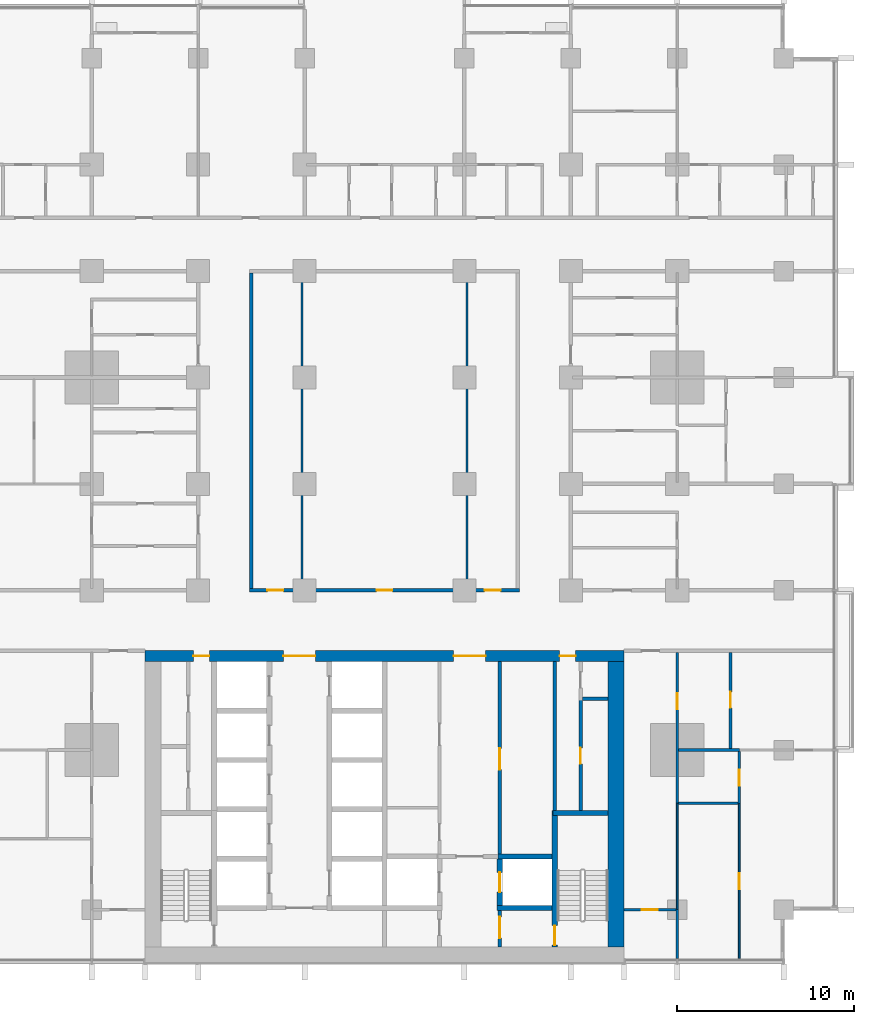
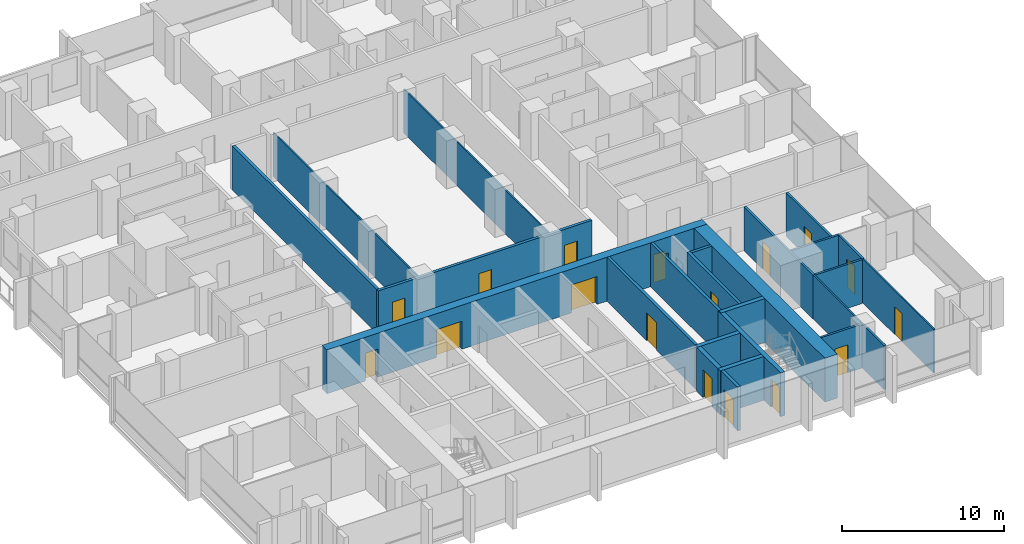
# One storey, part 9 of 18: 25 walls, 17 doors, 17 openings.
"""IFC4 building model written with IfcOpenShell, lengths in metres."""

import ifcopenshell
import ifcopenshell.guid

model = None  # the IFC model being written
_history = None  # IfcOwnerHistory: only IFC2X3 demands one
_inside = {}  # id of a spatial element -> (the spatial element, [elements in it])
_under = {}  # id of a project, library or spatial element -> (it, [spatial elements below it])
_declared = {}  # id of a project -> (the project, [libraries it declares])
_typed = {}  # id of a type object -> (the type object, [elements of that type])
_made_of = {}  # id of a material, layer set ... -> (it, [elements and type objects made of it])


def new_model(schema):
    """Start an empty IFC model of exactly this schema.

    Asked for "IFC4X3", IfcOpenShell would pick the latest addendum, in which some entities
    have other attributes; the version numbers below select the first issue.
    IFC2X3 requires an IfcOwnerHistory on every rooted entity: one is made here for all.
    """
    global model, _history
    if schema == "IFC4X3":
        model = ifcopenshell.file(schema_version=(4, 3, 0, 0))
    else:
        model = ifcopenshell.file(schema=schema)
    _inside.clear()
    _under.clear()
    _declared.clear()
    _typed.clear()
    _made_of.clear()
    _history = None
    if model.schema == "IFC2X3":
        org = make("IfcOrganization", Name="unknown")
        user = make(
            "IfcPersonAndOrganization",
            ThePerson=make("IfcPerson", FamilyName="unknown"),
            TheOrganization=org,
        )
        app = make(
            "IfcApplication",
            ApplicationDeveloper=org,
            Version="unknown",
            ApplicationFullName="unknown",
            ApplicationIdentifier="unknown",
        )
        _history = make(
            "IfcOwnerHistory",
            OwningUser=user,
            OwningApplication=app,
            ChangeAction="ADDED",
            CreationDate=0,
        )
    return model


def make(cls, **values):
    """One entity of the class cls with the attributes given. An attribute that is None is left unset."""
    return model.create_entity(
        cls, **{name: value for name, value in values.items() if value is not None}
    )


def rooted(cls, **values):
    """An entity with a GlobalId (a new one), such as an element, a storey or a relation."""
    return make(cls, GlobalId=ifcopenshell.guid.new(), OwnerHistory=_history, **values)


def si_unit(unit_type, name, prefix=None):
    """IfcSIUnit, for example si_unit("LENGTHUNIT", "METRE", prefix="MILLI")."""
    return make("IfcSIUnit", UnitType=unit_type, Prefix=prefix, Name=name)


def assignment(units):
    """IfcUnitAssignment: the units of a project."""
    return None if units is None else make("IfcUnitAssignment", Units=units)


def point(xyz):
    """IfcCartesianPoint."""
    return None if xyz is None else make("IfcCartesianPoint", Coordinates=xyz)


def direction(xyz):
    """IfcDirection."""
    return None if xyz is None else make("IfcDirection", DirectionRatios=xyz)


def frame(location, z_axis=None, x_axis=None):
    """IfcAxis2Placement3D, a coordinate frame: its origin and axes. An axis left out is left unset."""
    return make(
        "IfcAxis2Placement3D",
        Location=point(location),
        Axis=direction(z_axis),
        RefDirection=direction(x_axis),
    )


def frame_2d(location, x_axis=None):
    """IfcAxis2Placement2D, a coordinate frame in the plane: its origin and x axis."""
    return make(
        "IfcAxis2Placement2D", Location=point(location), RefDirection=direction(x_axis)
    )


def origin():
    """The frame at (0, 0, 0) with its axes left unset."""
    return frame((0.0, 0.0, 0.0))


def place(relative_to, where):
    """IfcLocalPlacement: puts the frame where relative to a parent placement (None: the world)."""
    return make(
        "IfcLocalPlacement", PlacementRelTo=relative_to, RelativePlacement=where
    )


def context(
    kind, dimensions, precision=None, world=None, true_north=None, identifier=None
):
    """IfcGeometricRepresentationContext, for example the 3D "Model" context."""
    return make(
        "IfcGeometricRepresentationContext",
        ContextIdentifier=identifier,
        ContextType=kind,
        CoordinateSpaceDimension=dimensions,
        Precision=precision,
        WorldCoordinateSystem=world,
        TrueNorth=true_north,
    )


def subcontext(parent, identifier, kind, view, scale=None):
    """IfcGeometricRepresentationSubContext, for example "Body" below "Model"."""
    return make(
        "IfcGeometricRepresentationSubContext",
        ContextIdentifier=identifier,
        ContextType=kind,
        ParentContext=parent,
        TargetScale=scale,
        TargetView=view,
    )


def project(units=None, contexts=None):
    """IfcProject with its units and contexts."""
    return rooted(
        "IfcProject",
        Name="project",
        RepresentationContexts=contexts,
        UnitsInContext=assignment(units),
    )


def spatial(cls, under=None, at=None, **own):
    """A site, building, storey or space (cls), placed at a placement, below another one or the project."""
    s = rooted(cls, ObjectPlacement=at, **own)
    if under is not None:
        _under.setdefault(under.id(), (under, []))[1].append(s)
    return s


def profile(cls, at=None, kind="AREA", **sizes):
    """A parametric profile (cls). Its sizes go by their IFC names, for example OverallWidth=200.0."""
    return make(cls, ProfileType=kind, Position=at, **sizes)


def rectangle(**sizes):
    """IfcRectangleProfileDef."""
    return profile("IfcRectangleProfileDef", **sizes)


def extrude(swept, where, along, depth):
    """IfcExtrudedAreaSolid: the profile swept, set in the frame where, extruded along a direction by depth."""
    return make(
        "IfcExtrudedAreaSolid",
        SweptArea=swept,
        Position=where,
        ExtrudedDirection=direction(along),
        Depth=depth,
    )


def shape(context_of_items, identifier, shape_type, items):
    """IfcShapeRepresentation: the items that make up one representation, for example the "Body"."""
    return make(
        "IfcShapeRepresentation",
        ContextOfItems=context_of_items,
        RepresentationIdentifier=identifier,
        RepresentationType=shape_type,
        Items=items,
    )


def material(Name=None, Category=None):
    """IfcMaterial."""
    return make("IfcMaterial", Name=Name, Category=Category)


def layer(
    of_material, thickness, ventilated=None, Name=None, Category=None, Priority=None
):
    """IfcMaterialLayer: one layer of a wall or slab, of a material (None: an air gap)."""
    return make(
        "IfcMaterialLayer",
        Material=of_material,
        LayerThickness=thickness,
        IsVentilated=ventilated,
        Name=Name,
        Category=Category,
        Priority=Priority,
    )


def layer_set(layers, Name=None):
    """IfcMaterialLayerSet."""
    return make("IfcMaterialLayerSet", MaterialLayers=layers, LayerSetName=Name)


def made_of(thing, what):
    """Note that an element or type object is made of a material, layer set ...; save() writes the relation."""
    if what is not None:
        _made_of.setdefault(what.id(), (what, []))[1].append(thing)
    return thing


def type_object(cls, material=None, **own):
    """A type object (cls), such as IfcWallType, which elements share."""
    return made_of(rooted(cls, **own), material)


def element(
    cls,
    number,
    at=None,
    inside=None,
    cuts=None,
    type_object=None,
    material=None,
    context=None,
    identifier="Body",
    shape_type=None,
    held_by="IfcProductDefinitionShape",
    body=None,
    shapes=None,
    **own,
):
    """One element of the class cls, such as IfcWall. Its Tag is "e" and its number.

    at: its placement. inside: the storey or other place that contains it. cuts: it is an
    opening in that element (IfcRelVoidsElement). A single representation is given by context,
    identifier, shape_type and body (its items); several are given by shapes. held_by: the class
    of the entity that holds the representations. save() writes the other relations.
    """
    e = rooted(cls, Tag="e%d" % number, ObjectPlacement=at, **own)
    if body is not None:
        shapes = [shape(context, identifier, shape_type, body)]
    if shapes is not None:
        e.Representation = make(held_by, Representations=shapes)
    if inside is not None:
        _inside.setdefault(inside.id(), (inside, []))[1].append(e)
    if cuts is not None:
        rooted(
            "IfcRelVoidsElement", RelatingBuildingElement=cuts, RelatedOpeningElement=e
        )
    if type_object is not None:
        _typed.setdefault(type_object.id(), (type_object, []))[1].append(e)
    return made_of(e, material)


def fill(opening, filler):
    """IfcRelFillsElement: the door or window that sits in an opening."""
    return rooted(
        "IfcRelFillsElement",
        RelatingOpeningElement=opening,
        RelatedBuildingElement=filler,
    )


def aggregate(whole, parts):
    """IfcRelAggregates: a whole, such as a stair, and the parts it consists of."""
    return rooted("IfcRelAggregates", RelatingObject=whole, RelatedObjects=parts)


def save(model, path):
    """Write the relations noted so far, then the file.

    IfcRelAggregates (storeys below a building ...), IfcRelContainedInSpatialStructure (elements
    in a storey), IfcRelDefinesByType, IfcRelAssociatesMaterial and IfcRelDeclares: one each for
    every whole, place, type object, material and project.
    """
    for whole, parts in _under.values():
        aggregate(whole, parts)
    for where, things in _inside.values():
        rooted(
            "IfcRelContainedInSpatialStructure",
            RelatedElements=things,
            RelatingStructure=where,
        )
    for kind, things in _typed.values():
        rooted("IfcRelDefinesByType", RelatedObjects=things, RelatingType=kind)
    for what, things in _made_of.values():
        rooted("IfcRelAssociatesMaterial", RelatedObjects=things, RelatingMaterial=what)
    for by, libraries in _declared.values():
        rooted("IfcRelDeclares", RelatingContext=by, RelatedDefinitions=libraries)
    model.write(path)


model = new_model("IFC4")

# Units and contexts
model_context = context("Model", 3, precision=1e-05, world=origin(), true_north=direction((0.0, 1.0)))
body_context = subcontext(model_context, "Body", "Model", "MODEL_VIEW")
ifc_project = project(units=[si_unit("LENGTHUNIT", "METRE"), si_unit("AREAUNIT", "SQUARE_METRE"), si_unit("VOLUMEUNIT", "CUBIC_METRE"), si_unit("PLANEANGLEUNIT", "RADIAN"), si_unit("MASSUNIT", "GRAM", prefix="KILO")], contexts=[model_context])

# Site, building, storey
site_placement = place(None, origin())
site = spatial("IfcSite", under=ifc_project, at=site_placement, CompositionType="ELEMENT")
building_placement = place(site_placement, origin())
building = spatial("IfcBuilding", under=site, at=building_placement, Name="Finial Court Residences", CompositionType="ELEMENT")
storey_placement = place(building_placement, frame((0.0, 0.0, 39.699951171875)))
storey = spatial("IfcBuildingStorey", under=building, at=storey_placement, Name="L08", CompositionType="ELEMENT", Elevation=39.699951171875)

# Wall, openings, doors
ifc_material_1 = material(Name="Concrete C80/95", Category="concrete")
ifc_layer_1 = layer(ifc_material_1, 0.60009765625)
ifc_layer_set_1 = layer_set([ifc_layer_1], Name="Core outer wall 600 Concrete C80/95")
wall_type_1 = type_object("IfcWallType", Name="Core outer wall 600 Concrete C80/95", PredefinedType="SHEAR", material=ifc_layer_set_1)
wall_1_placement = place(storey_placement, frame((-13.5, -8.199951171875, 0.0), z_axis=(0.0, 0.0, 1.0), x_axis=(1.0, 0.0, 0.0)))
wall_1 = element("IfcWall", 1, at=wall_1_placement, inside=storey, type_object=wall_type_1, Name="Core outer wall L08-02", PredefinedType="SHEAR", context=body_context, shape_type="SweptSolid", body=[
    extrude(rectangle(XDim=27.0, YDim=0.60009765625, at=frame_2d((13.5, 0.0))), origin(), (0.0, 0.0, 1.0), 3.300048828125),
])
opening_1_placement = place(wall_1_placement, frame((7.800048828125, 0.0, 0.0)))
opening_1 = element("IfcOpeningElement", 2, at=opening_1_placement, cuts=wall_1, Name="Opening L08-C04", PredefinedType="OPENING", context=body_context, shape_type="SweptSolid", body=[
    extrude(rectangle(XDim=1.800048828125, YDim=2.10009765625, at=frame_2d((0.89990234375, 1.050048828125))), frame((0.0, 0.31005859375, 0.0), z_axis=(0.0, -1.0, 0.0), x_axis=(1.0, 0.0, 0.0)), (0.0, 0.0, 1.0), 0.6201171875),
])
opening_2_placement = place(wall_1_placement, frame((17.39990234375, 0.0, 0.0)))
opening_2 = element("IfcOpeningElement", 3, at=opening_2_placement, cuts=wall_1, Name="Opening L08-C05", PredefinedType="OPENING", context=body_context, shape_type="SweptSolid", body=[
    extrude(rectangle(XDim=1.800048828125, YDim=2.10009765625, at=frame_2d((0.89990234375, 1.050048828125))), frame((0.0, 0.31005859375, 0.0), z_axis=(0.0, -1.0, 0.0), x_axis=(1.0, 0.0, 0.0)), (0.0, 0.0, 1.0), 0.6201171875),
])
opening_3_placement = place(wall_1_placement, frame((2.72509765625, 0.0, 0.0)))
opening_3 = element("IfcOpeningElement", 4, at=opening_3_placement, cuts=wall_1, Name="Opening L08-C10", PredefinedType="OPENING", context=body_context, shape_type="SweptSolid", body=[
    extrude(rectangle(XDim=0.89990234375, YDim=2.10009765625, at=frame_2d((0.449951171875, 1.050048828125))), frame((0.0, 0.31005859375, 0.0), z_axis=(0.0, -1.0, 0.0), x_axis=(1.0, 0.0, 0.0)), (0.0, 0.0, 1.0), 0.6201171875),
])
opening_4_placement = place(wall_1_placement, frame((23.375, 0.0, 0.0)))
opening_4 = element("IfcOpeningElement", 5, at=opening_4_placement, cuts=wall_1, Name="Opening L08-C11", PredefinedType="OPENING", context=body_context, shape_type="SweptSolid", body=[
    extrude(rectangle(XDim=0.89990234375, YDim=2.10009765625, at=frame_2d((0.449951171875, 1.050048828125))), frame((0.0, 0.31005859375, 0.0), z_axis=(0.0, -1.0, 0.0), x_axis=(1.0, 0.0, 0.0)), (0.0, 0.0, 1.0), 0.6201171875),
])
ifc_material_2 = material(Name="Steel fire door", Category="steel")
door_type_1 = type_object("IfcDoorType", Name="Lift lobby door 1800 x 2100 EI 60", OperationType="DOUBLE_DOOR_SINGLE_SWING", PredefinedType="DOOR", material=ifc_material_2)
door_1_placement = place(opening_1_placement, origin())
door_1 = element("IfcDoor", 6, at=door_1_placement, inside=storey, type_object=door_type_1, Name="Lift lobby door L08-C04", OperationType="DOUBLE_DOOR_SINGLE_SWING", OverallHeight=2.10009765625, OverallWidth=1.800048828125, PredefinedType="DOOR", context=body_context, shape_type="SweptSolid", body=[
    extrude(rectangle(XDim=1.800048828125, YDim=2.10009765625, at=frame_2d((0.89990234375, 1.050048828125))), frame((0.0, 0.02490234375, 0.0), z_axis=(0.0, -1.0, 0.0), x_axis=(1.0, 0.0, 0.0)), (0.0, 0.0, 1.0), 0.050048828125),
])
fill(opening_1, door_1)
door_2_placement = place(opening_2_placement, origin())
door_2 = element("IfcDoor", 7, at=door_2_placement, inside=storey, type_object=door_type_1, Name="Lift lobby door L08-C05", OperationType="DOUBLE_DOOR_SINGLE_SWING", OverallHeight=2.10009765625, OverallWidth=1.800048828125, PredefinedType="DOOR", context=body_context, shape_type="SweptSolid", body=[
    extrude(rectangle(XDim=1.800048828125, YDim=2.10009765625, at=frame_2d((0.89990234375, 1.050048828125))), frame((0.0, 0.02490234375, 0.0), z_axis=(0.0, -1.0, 0.0), x_axis=(1.0, 0.0, 0.0)), (0.0, 0.0, 1.0), 0.050048828125),
])
fill(opening_2, door_2)
door_type_2 = type_object("IfcDoorType", Name="Riser room door 900 x 2100 EI 90", OperationType="NOTDEFINED", PredefinedType="DOOR", material=ifc_material_2)
door_3_placement = place(opening_3_placement, origin())
door_3 = element("IfcDoor", 8, at=door_3_placement, inside=storey, type_object=door_type_2, Name="Riser room door L08-C10", OperationType="SINGLE_SWING_RIGHT", OverallHeight=2.10009765625, OverallWidth=0.89990234375, PredefinedType="DOOR", context=body_context, shape_type="SweptSolid", body=[
    extrude(rectangle(XDim=0.89990234375, YDim=2.10009765625, at=frame_2d((0.449951171875, 1.050048828125))), frame((0.0, 0.02490234375, 0.0), z_axis=(0.0, -1.0, 0.0), x_axis=(1.0, 0.0, 0.0)), (0.0, 0.0, 1.0), 0.050048828125),
])
fill(opening_3, door_3)
door_4_placement = place(opening_4_placement, origin())
door_4 = element("IfcDoor", 9, at=door_4_placement, inside=storey, type_object=door_type_2, Name="Riser room door L08-C11", OperationType="SINGLE_SWING_LEFT", OverallHeight=2.10009765625, OverallWidth=0.89990234375, PredefinedType="DOOR", context=body_context, shape_type="SweptSolid", body=[
    extrude(rectangle(XDim=0.89990234375, YDim=2.10009765625, at=frame_2d((0.449951171875, 1.050048828125))), frame((0.0, 0.02490234375, 0.0), z_axis=(0.0, -1.0, 0.0), x_axis=(1.0, 0.0, 0.0)), (0.0, 0.0, 1.0), 0.050048828125),
])
fill(opening_4, door_4)

# Wall
ifc_layer_2 = layer(ifc_material_1, 0.89990234375)
ifc_layer_set_2 = layer_set([ifc_layer_2], Name="Core outer wall 900 Concrete C80/95")
wall_type_2 = type_object("IfcWallType", Name="Core outer wall 900 Concrete C80/95", PredefinedType="SHEAR", material=ifc_layer_set_2)
wall_2_placement = place(storey_placement, frame((13.050048828125, -24.60009765625, 0.0), z_axis=(0.0, 0.0, 1.0), x_axis=(0.0, 1.0, 0.0)))
element("IfcWall", 10, at=wall_2_placement, inside=storey, type_object=wall_type_2, Name="Core outer wall L08-04", PredefinedType="SHEAR", context=body_context, shape_type="SweptSolid", body=[
    extrude(rectangle(XDim=16.10009765625, YDim=0.89990234375, at=frame_2d((8.050048828125, 0.0))), origin(), (0.0, 0.0, 1.0), 3.300048828125),
])

# Wall, openings, doors
ifc_material_3 = material(Name="Gypsum board")
ifc_layer_3 = layer(ifc_material_3, 0.02490234375)
ifc_material_4 = material(Name="Acoustic mineral wool in double frame")
ifc_layer_4 = layer(ifc_material_4, 0.14990234375)
ifc_layer_5 = layer(ifc_material_3, 0.02490234375)
ifc_layer_set_3 = layer_set([ifc_layer_3, ifc_layer_4, ifc_layer_5], Name="Corridor wall 200, 1 hour")
wall_type_3 = type_object("IfcWallType", Name="Corridor wall 200, 1 hour", PredefinedType="PARTITIONING", material=ifc_layer_set_3)
wall_3_placement = place(storey_placement, frame((-7.60009765625, -4.5, 0.0), z_axis=(0.0, 0.0, 1.0), x_axis=(1.0, 0.0, 0.0)))
wall_3 = element("IfcWall", 11, at=wall_3_placement, inside=storey, type_object=wall_type_3, Name="Partition L08-012", PredefinedType="PARTITIONING", context=body_context, shape_type="SweptSolid", body=[
    extrude(rectangle(XDim=15.2001953125, YDim=0.199951171875, at=frame_2d((7.60009765625, 0.0))), origin(), (0.0, 0.0, 1.0), 3.300048828125),
])
opening_5_placement = place(wall_3_placement, frame((1.0, 0.0, 0.0)))
opening_5 = element("IfcOpeningElement", 12, at=opening_5_placement, cuts=wall_3, Name="Opening L08-D007", PredefinedType="OPENING", context=body_context, shape_type="SweptSolid", body=[
    extrude(rectangle(XDim=0.89990234375, YDim=2.10009765625, at=frame_2d((0.449951171875, 1.050048828125))), frame((0.0, 0.10986328125, 0.0), z_axis=(0.0, -1.0, 0.0), x_axis=(1.0, 0.0, 0.0)), (0.0, 0.0, 1.0), 0.219970703125),
])
opening_6_placement = place(wall_3_placement, frame((7.14990234375, 0.0, 0.0)))
opening_6 = element("IfcOpeningElement", 13, at=opening_6_placement, cuts=wall_3, Name="Opening L08-D008", PredefinedType="OPENING", context=body_context, shape_type="SweptSolid", body=[
    extrude(rectangle(XDim=0.89990234375, YDim=2.10009765625, at=frame_2d((0.449951171875, 1.050048828125))), frame((0.0, 0.10986328125, 0.0), z_axis=(0.0, -1.0, 0.0), x_axis=(1.0, 0.0, 0.0)), (0.0, 0.0, 1.0), 0.219970703125),
])
opening_7_placement = place(wall_3_placement, frame((13.25, 0.0, 0.0)))
opening_7 = element("IfcOpeningElement", 14, at=opening_7_placement, cuts=wall_3, Name="Opening L08-D009", PredefinedType="OPENING", context=body_context, shape_type="SweptSolid", body=[
    extrude(rectangle(XDim=0.89990234375, YDim=2.10009765625, at=frame_2d((0.449951171875, 1.050048828125))), frame((0.0, 0.10986328125, 0.0), z_axis=(0.0, -1.0, 0.0), x_axis=(1.0, 0.0, 0.0)), (0.0, 0.0, 1.0), 0.219970703125),
])
ifc_material_5 = material(Name="Timber door leaf in hollow metal frame", Category="wood")
door_type_3 = type_object("IfcDoorType", Name="Fire door set 900 x 2100, 30 minutes", OperationType="SINGLE_SWING_LEFT", PredefinedType="DOOR", material=ifc_material_5)
door_5_placement = place(opening_5_placement, origin())
door_5 = element("IfcDoor", 15, at=door_5_placement, inside=storey, type_object=door_type_3, Name="Door L08-D007", OperationType="SINGLE_SWING_RIGHT", OverallHeight=2.10009765625, OverallWidth=0.89990234375, PredefinedType="DOOR", context=body_context, shape_type="SweptSolid", body=[
    extrude(rectangle(XDim=0.89990234375, YDim=2.10009765625, at=frame_2d((0.449951171875, 1.050048828125))), frame((0.0, 0.02490234375, 0.0), z_axis=(0.0, -1.0, 0.0), x_axis=(1.0, 0.0, 0.0)), (0.0, 0.0, 1.0), 0.050048828125),
])
fill(opening_5, door_5)
door_6_placement = place(opening_6_placement, origin())
door_6 = element("IfcDoor", 16, at=door_6_placement, inside=storey, type_object=door_type_3, Name="Door L08-D008", OperationType="SINGLE_SWING_RIGHT", OverallHeight=2.10009765625, OverallWidth=0.89990234375, PredefinedType="DOOR", context=body_context, shape_type="SweptSolid", body=[
    extrude(rectangle(XDim=0.89990234375, YDim=2.10009765625, at=frame_2d((0.449951171875, 1.050048828125))), frame((0.0, 0.02490234375, 0.0), z_axis=(0.0, -1.0, 0.0), x_axis=(1.0, 0.0, 0.0)), (0.0, 0.0, 1.0), 0.050048828125),
])
fill(opening_6, door_6)
door_7_placement = place(opening_7_placement, origin())
door_7 = element("IfcDoor", 17, at=door_7_placement, inside=storey, type_object=door_type_3, Name="Door L08-D009", OperationType="SINGLE_SWING_LEFT", OverallHeight=2.10009765625, OverallWidth=0.89990234375, PredefinedType="DOOR", context=body_context, shape_type="SweptSolid", body=[
    extrude(rectangle(XDim=0.89990234375, YDim=2.10009765625, at=frame_2d((0.449951171875, 1.050048828125))), frame((0.0, 0.02490234375, 0.0), z_axis=(0.0, -1.0, 0.0), x_axis=(1.0, 0.0, 0.0)), (0.0, 0.0, 1.0), 0.050048828125),
])
fill(opening_7, door_7)

# Wall
wall_4_placement = place(storey_placement, frame((-7.5, -4.39990234375, 0.0), z_axis=(0.0, 0.0, 1.0), x_axis=(0.0, 1.0, 0.0)))
element("IfcWall", 18, at=wall_4_placement, inside=storey, type_object=wall_type_3, Name="Partition L08-063", PredefinedType="PARTITIONING", context=body_context, shape_type="SweptSolid", body=[
    extrude(rectangle(XDim=17.7998046875, YDim=0.199951171875, at=frame_2d((8.89990234375, 0.0))), origin(), (0.0, 0.0, 1.0), 3.300048828125),
])

# Wall, opening, door
ifc_material_6 = material(Name="Fire-rated gypsum board partition")
ifc_layer_6 = layer(ifc_material_6, 0.199951171875)
ifc_layer_set_4 = layer_set([ifc_layer_6], Name="Firefighting lobby wall 200 EI 120")
wall_type_4 = type_object("IfcWallType", Name="Firefighting lobby wall 200 EI 120", PredefinedType="PARTITIONING", material=ifc_layer_set_4)
wall_5_placement = place(storey_placement, frame((6.5, -22.550048828125, 0.0), z_axis=(0.0, 0.0, 1.0), x_axis=(0.0, -1.0, 0.0)))
wall_5 = element("IfcWall", 19, at=wall_5_placement, inside=storey, type_object=wall_type_4, Name="Core partition L08-32", PredefinedType="PARTITIONING", context=body_context, shape_type="SweptSolid", body=[
    extrude(rectangle(XDim=2.050048828125, YDim=0.199951171875, at=frame_2d((1.02490234375, 0.0))), origin(), (0.0, 0.0, 1.0), 3.300048828125),
])
opening_8_placement = place(wall_5_placement, frame((0.35009765625, 0.0, 0.0)))
opening_8 = element("IfcOpeningElement", 20, at=opening_8_placement, cuts=wall_5, Name="Opening L08-C01", PredefinedType="OPENING", context=body_context, shape_type="SweptSolid", body=[
    extrude(rectangle(XDim=1.199951171875, YDim=2.10009765625, at=frame_2d((0.60009765625, 1.050048828125))), frame((0.0, 0.10986328125, 0.0), z_axis=(0.0, -1.0, 0.0), x_axis=(1.0, 0.0, 0.0)), (0.0, 0.0, 1.0), 0.219970703125),
])
door_type_4 = type_object("IfcDoorType", Name="Firefighting lobby door 1200 x 2100 EI 90", OperationType="NOTDEFINED", PredefinedType="DOOR", material=ifc_material_2)
door_8_placement = place(opening_8_placement, origin())
door_8 = element("IfcDoor", 21, at=door_8_placement, inside=storey, type_object=door_type_4, Name="Firefighting lobby door L08-C01", OperationType="SINGLE_SWING_RIGHT", OverallHeight=2.10009765625, OverallWidth=1.199951171875, PredefinedType="DOOR", context=body_context, shape_type="SweptSolid", body=[
    extrude(rectangle(XDim=1.199951171875, YDim=2.10009765625, at=frame_2d((0.60009765625, 1.050048828125))), frame((0.0, 0.02490234375, 0.0), z_axis=(0.0, -1.0, 0.0), x_axis=(1.0, 0.0, 0.0)), (0.0, 0.0, 1.0), 0.050048828125),
])
fill(opening_8, door_8)

# Walls
ifc_layer_7 = layer(ifc_material_3, 0.012451171875)
ifc_material_7 = material(Name="Mineral wool in light-gauge frame")
ifc_layer_8 = layer(ifc_material_7, 0.074951171875)
ifc_layer_9 = layer(ifc_material_3, 0.012451171875)
ifc_layer_set_5 = layer_set([ifc_layer_7, ifc_layer_8, ifc_layer_9], Name="Gypsum board partition 100")
wall_type_5 = type_object("IfcWallType", Name="Gypsum board partition 100", PredefinedType="PARTITIONING", material=ifc_layer_set_5)
for number, where, z_axis, x_axis, name in (
    (22, (-4.64990234375, -4.39990234375, 0.0), (0.0, 0.0, 1.0), (0.0, 1.0, 0.0), "Partition L08-064"),
    (23, (4.64990234375, -4.39990234375, 0.0), (0.0, 0.0, 1.0), (0.0, 1.0, 0.0), "Partition L08-071"),
):
    element("IfcWall", number, at=place(storey_placement, frame(where, z_axis=z_axis, x_axis=x_axis)), inside=storey, type_object=wall_type_5, Name=name, PredefinedType="PARTITIONING", context=body_context, shape_type="SweptSolid", body=[
        extrude(rectangle(XDim=17.7998046875, YDim=0.10009765625, at=frame_2d((8.89990234375, 0.0))), origin(), (0.0, 0.0, 1.0), 3.300048828125),
    ])
wall_6_placement = place(storey_placement, frame((16.5, -22.5, 0.0), z_axis=(0.0, 0.0, 1.0), x_axis=(0.0, 1.0, 0.0)))
element("IfcWall", 24, at=wall_6_placement, inside=storey, type_object=wall_type_5, Name="Partition L08-078", PredefinedType="PARTITIONING", context=body_context, shape_type="SweptSolid", body=[
    extrude(rectangle(XDim=6.0, YDim=0.10009765625, at=frame_2d((3.0, 0.0))), origin(), (0.0, 0.0, 1.0), 3.300048828125),
])

# Wall, opening, door
wall_7_placement = place(storey_placement, frame((20.0, -25.25, 0.0), z_axis=(0.0, 0.0, 1.0), x_axis=(0.0, 1.0, 0.0)))
wall_7 = element("IfcWall", 25, at=wall_7_placement, inside=storey, type_object=wall_type_5, Name="Partition L08-094", PredefinedType="PARTITIONING", context=body_context, shape_type="SweptSolid", body=[
    extrude(rectangle(XDim=8.75, YDim=0.10009765625, at=frame_2d((4.375, 0.0))), origin(), (0.0, 0.0, 1.0), 3.300048828125),
])
opening_9_placement = place(wall_7_placement, frame((3.89990234375, 0.0, 0.0)))
opening_9 = element("IfcOpeningElement", 26, at=opening_9_placement, cuts=wall_7, Name="Opening L08-D058", PredefinedType="OPENING", context=body_context, shape_type="SweptSolid", body=[
    extrude(rectangle(XDim=0.89990234375, YDim=2.10009765625, at=frame_2d((0.449951171875, 1.050048828125))), frame((0.0, 0.06005859375, 0.0), z_axis=(0.0, -1.0, 0.0), x_axis=(1.0, 0.0, 0.0)), (0.0, 0.0, 1.0), 0.1201171875),
])
ifc_material_8 = material(Name="Timber door leaf in timber frame", Category="wood")
door_type_5 = type_object("IfcDoorType", Name="Door set 900 x 2100", OperationType="SINGLE_SWING_LEFT", PredefinedType="DOOR", material=ifc_material_8)
door_9_placement = place(opening_9_placement, origin())
door_9 = element("IfcDoor", 27, at=door_9_placement, inside=storey, type_object=door_type_5, Name="Door L08-D058", OperationType="SINGLE_SWING_RIGHT", OverallHeight=2.10009765625, OverallWidth=0.89990234375, PredefinedType="DOOR", context=body_context, shape_type="SweptSolid", body=[
    extrude(rectangle(XDim=0.89990234375, YDim=2.10009765625, at=frame_2d((0.449951171875, 1.050048828125))), frame((0.0, 0.02490234375, 0.0), z_axis=(0.0, -1.0, 0.0), x_axis=(1.0, 0.0, 0.0)), (0.0, 0.0, 1.0), 0.050048828125),
])
fill(opening_9, door_9)

ifc_material_9 = material(Name="Moisture-resistant gypsum board")
ifc_layer_10 = layer(ifc_material_9, 0.012451171875)
ifc_layer_11 = layer(ifc_material_7, 0.125)
ifc_layer_12 = layer(ifc_material_9, 0.012451171875)
ifc_layer_set_6 = layer_set([ifc_layer_10, ifc_layer_11, ifc_layer_12], Name="Gypsum board wet-area partition 150")
wall_type_6 = type_object("IfcWallType", Name="Gypsum board wet-area partition 150", PredefinedType="PARTITIONING", material=ifc_layer_set_6)
wall_8_placement = place(storey_placement, frame((13.5, -22.5, 0.0), z_axis=(0.0, 0.0, 1.0), x_axis=(1.0, 0.0, 0.0)))
wall_8 = element("IfcWall", 28, at=wall_8_placement, inside=storey, type_object=wall_type_6, Name="Partition L08-001", PredefinedType="PARTITIONING", context=body_context, shape_type="SweptSolid", body=[
    extrude(rectangle(XDim=2.925048828125, YDim=0.14990234375, at=frame_2d((1.46240234375, 0.0))), origin(), (0.0, 0.0, 1.0), 3.300048828125),
])
opening_10_placement = place(wall_8_placement, frame((1.0, 0.0, 0.0)))
opening_10 = element("IfcOpeningElement", 29, at=opening_10_placement, cuts=wall_8, Name="Opening L08-D002", PredefinedType="OPENING", context=body_context, shape_type="SweptSolid", body=[
    extrude(rectangle(XDim=0.89990234375, YDim=2.10009765625, at=frame_2d((0.449951171875, 1.050048828125))), frame((0.0, 0.0849609375, 0.0), z_axis=(0.0, -1.0, 0.0), x_axis=(1.0, 0.0, 0.0)), (0.0, 0.0, 1.0), 0.169921875),
])
door_10_placement = place(opening_10_placement, origin())
door_10 = element("IfcDoor", 30, at=door_10_placement, inside=storey, type_object=door_type_5, Name="Door L08-D002", OperationType="SINGLE_SWING_RIGHT", OverallHeight=2.10009765625, OverallWidth=0.89990234375, PredefinedType="DOOR", context=body_context, shape_type="SweptSolid", body=[
    extrude(rectangle(XDim=0.89990234375, YDim=2.10009765625, at=frame_2d((0.449951171875, 1.050048828125))), frame((0.0, 0.02490234375, 0.0), z_axis=(0.0, -1.0, 0.0), x_axis=(1.0, 0.0, 0.0)), (0.0, 0.0, 1.0), 0.050048828125),
])
fill(opening_10, door_10)

# Walls
wall_9_placement = place(storey_placement, frame((16.574951171875, -16.5, 0.0), z_axis=(0.0, 0.0, 1.0), x_axis=(1.0, 0.0, 0.0)))
element("IfcWall", 31, at=wall_9_placement, inside=storey, type_object=wall_type_6, Name="Partition L08-004", PredefinedType="PARTITIONING", context=body_context, shape_type="SweptSolid", body=[
    extrude(rectangle(XDim=3.35009765625, YDim=0.14990234375, at=frame_2d((1.675048828125, 0.0))), origin(), (0.0, 0.0, 1.0), 3.300048828125),
])
wall_10_placement = place(storey_placement, frame((16.574951171875, -13.5, 0.0), z_axis=(0.0, 0.0, 1.0), x_axis=(1.0, 0.0, 0.0)))
element("IfcWall", 32, at=wall_10_placement, inside=storey, type_object=wall_type_6, Name="Partition L08-008", PredefinedType="PARTITIONING", context=body_context, shape_type="SweptSolid", body=[
    extrude(rectangle(XDim=3.425048828125, YDim=0.14990234375, at=frame_2d((1.71240234375, 0.0))), origin(), (0.0, 0.0, 1.0), 3.300048828125),
])
wall_11_placement = place(storey_placement, frame((16.5, -25.25, 0.0), z_axis=(0.0, 0.0, 1.0), x_axis=(0.0, 1.0, 0.0)))
element("IfcWall", 33, at=wall_11_placement, inside=storey, type_object=wall_type_6, Name="Partition L08-084", PredefinedType="PARTITIONING", context=body_context, shape_type="SweptSolid", body=[
    extrude(rectangle(XDim=2.75, YDim=0.14990234375, at=frame_2d((1.375, 0.0))), origin(), (0.0, 0.0, 1.0), 3.300048828125),
])

# Wall, opening, door
wall_12_placement = place(storey_placement, frame((16.5, -16.5, 0.0), z_axis=(0.0, 0.0, 1.0), x_axis=(0.0, 1.0, 0.0)))
wall_12 = element("IfcWall", 34, at=wall_12_placement, inside=storey, type_object=wall_type_6, Name="Partition L08-085", PredefinedType="PARTITIONING", context=body_context, shape_type="SweptSolid", body=[
    extrude(rectangle(XDim=8.5, YDim=0.14990234375, at=frame_2d((4.25, 0.0))), origin(), (0.0, 0.0, 1.0), 3.300048828125),
])
opening_11_placement = place(wall_12_placement, frame((5.300048828125, 0.0, 0.0)))
opening_11 = element("IfcOpeningElement", 35, at=opening_11_placement, cuts=wall_12, Name="Opening L08-D050", PredefinedType="OPENING", context=body_context, shape_type="SweptSolid", body=[
    extrude(rectangle(XDim=0.89990234375, YDim=2.10009765625, at=frame_2d((0.449951171875, 1.050048828125))), frame((0.0, 0.0849609375, 0.0), z_axis=(0.0, -1.0, 0.0), x_axis=(1.0, 0.0, 0.0)), (0.0, 0.0, 1.0), 0.169921875),
])
door_11_placement = place(opening_11_placement, origin())
door_11 = element("IfcDoor", 36, at=door_11_placement, inside=storey, type_object=door_type_5, Name="Door L08-D050", OperationType="SINGLE_SWING_RIGHT", OverallHeight=2.10009765625, OverallWidth=0.89990234375, PredefinedType="DOOR", context=body_context, shape_type="SweptSolid", body=[
    extrude(rectangle(XDim=0.89990234375, YDim=2.10009765625, at=frame_2d((0.449951171875, 1.050048828125))), frame((0.0, 0.02490234375, 0.0), z_axis=(0.0, -1.0, 0.0), x_axis=(1.0, 0.0, 0.0)), (0.0, 0.0, 1.0), 0.050048828125),
])
fill(opening_11, door_11)

wall_13_placement = place(storey_placement, frame((19.5, -13.425048828125, 0.0), z_axis=(0.0, 0.0, 1.0), x_axis=(0.0, 1.0, 0.0)))
wall_13 = element("IfcWall", 37, at=wall_13_placement, inside=storey, type_object=wall_type_6, Name="Partition L08-093", PredefinedType="PARTITIONING", context=body_context, shape_type="SweptSolid", body=[
    extrude(rectangle(XDim=5.425048828125, YDim=0.14990234375, at=frame_2d((2.71240234375, 0.0))), origin(), (0.0, 0.0, 1.0), 3.300048828125),
])
opening_12_placement = place(wall_13_placement, frame((2.300048828125, 0.0, 0.0)))
opening_12 = element("IfcOpeningElement", 38, at=opening_12_placement, cuts=wall_13, Name="Opening L08-D057", PredefinedType="OPENING", context=body_context, shape_type="SweptSolid", body=[
    extrude(rectangle(XDim=0.89990234375, YDim=2.10009765625, at=frame_2d((0.449951171875, 1.050048828125))), frame((0.0, 0.0849609375, 0.0), z_axis=(0.0, -1.0, 0.0), x_axis=(1.0, 0.0, 0.0)), (0.0, 0.0, 1.0), 0.169921875),
])
door_12_placement = place(opening_12_placement, origin())
door_12 = element("IfcDoor", 39, at=door_12_placement, inside=storey, type_object=door_type_5, Name="Door L08-D057", OperationType="SINGLE_SWING_RIGHT", OverallHeight=2.10009765625, OverallWidth=0.89990234375, PredefinedType="DOOR", context=body_context, shape_type="SweptSolid", body=[
    extrude(rectangle(XDim=0.89990234375, YDim=2.10009765625, at=frame_2d((0.449951171875, 1.050048828125))), frame((0.0, 0.02490234375, 0.0), z_axis=(0.0, -1.0, 0.0), x_axis=(1.0, 0.0, 0.0)), (0.0, 0.0, 1.0), 0.050048828125),
])
fill(opening_12, door_12)

wall_14_placement = place(storey_placement, frame((20.0, -16.5, 0.0), z_axis=(0.0, 0.0, 1.0), x_axis=(0.0, 1.0, 0.0)))
wall_14 = element("IfcWall", 40, at=wall_14_placement, inside=storey, type_object=wall_type_6, Name="Partition L08-095", PredefinedType="PARTITIONING", context=body_context, shape_type="SweptSolid", body=[
    extrude(rectangle(XDim=2.925048828125, YDim=0.14990234375, at=frame_2d((1.46240234375, 0.0))), origin(), (0.0, 0.0, 1.0), 3.300048828125),
])
opening_13_placement = place(wall_14_placement, frame((1.0, 0.0, 0.0)))
opening_13 = element("IfcOpeningElement", 41, at=opening_13_placement, cuts=wall_14, Name="Opening L08-D059", PredefinedType="OPENING", context=body_context, shape_type="SweptSolid", body=[
    extrude(rectangle(XDim=0.89990234375, YDim=2.10009765625, at=frame_2d((0.449951171875, 1.050048828125))), frame((0.0, 0.0849609375, 0.0), z_axis=(0.0, -1.0, 0.0), x_axis=(1.0, 0.0, 0.0)), (0.0, 0.0, 1.0), 0.169921875),
])
door_13_placement = place(opening_13_placement, origin())
door_13 = element("IfcDoor", 42, at=door_13_placement, inside=storey, type_object=door_type_5, Name="Door L08-D059", OperationType="SINGLE_SWING_LEFT", OverallHeight=2.10009765625, OverallWidth=0.89990234375, PredefinedType="DOOR", context=body_context, shape_type="SweptSolid", body=[
    extrude(rectangle(XDim=0.89990234375, YDim=2.10009765625, at=frame_2d((0.449951171875, 1.050048828125))), frame((0.0, 0.02490234375, 0.0), z_axis=(0.0, -1.0, 0.0), x_axis=(1.0, 0.0, 0.0)), (0.0, 0.0, 1.0), 0.050048828125),
])
fill(opening_13, door_13)

# Walls
ifc_layer_13 = layer(ifc_material_1, 0.300048828125)
ifc_layer_set_7 = layer_set([ifc_layer_13], Name="Lift shaft and stair wall 300 Concrete C80/95")
wall_type_7 = type_object("IfcWallType", Name="Lift shaft and stair wall 300 Concrete C80/95", PredefinedType="SHEAR", material=ifc_layer_set_7)
wall_15_placement = place(storey_placement, frame((6.35009765625, -22.39990234375, 0.0), z_axis=(0.0, 0.0, 1.0), x_axis=(1.0, 0.0, 0.0)))
element("IfcWall", 43, at=wall_15_placement, inside=storey, type_object=wall_type_7, Name="Core wall L08-04", PredefinedType="SHEAR", context=body_context, shape_type="SweptSolid", body=[
    extrude(rectangle(XDim=3.099853515625, YDim=0.300048828125, at=frame_2d((1.5498046875, 0.0))), origin(), (0.0, 0.0, 1.0), 3.300048828125),
])
wall_16_placement = place(storey_placement, frame((6.39990234375, -19.5, 0.0), z_axis=(0.0, 0.0, 1.0), x_axis=(1.0, 0.0, 0.0)))
element("IfcWall", 44, at=wall_16_placement, inside=storey, type_object=wall_type_7, Name="Core wall L08-09", PredefinedType="SHEAR", context=body_context, shape_type="SweptSolid", body=[
    extrude(rectangle(XDim=3.050048828125, YDim=0.300048828125, at=frame_2d((1.52490234375, 0.0))), origin(), (0.0, 0.0, 1.0), 3.300048828125),
])
wall_17_placement = place(storey_placement, frame((9.5, -17.050048828125, 0.0), z_axis=(0.0, 0.0, 1.0), x_axis=(1.0, 0.0, 0.0)))
element("IfcWall", 45, at=wall_17_placement, inside=storey, type_object=wall_type_7, Name="Core wall L08-11", PredefinedType="SHEAR", context=body_context, shape_type="SweptSolid", body=[
    extrude(rectangle(XDim=3.10009765625, YDim=0.300048828125, at=frame_2d((1.550048828125, 0.0))), origin(), (0.0, 0.0, 1.0), 3.300048828125),
])

# Wall, opening, door
wall_18_placement = place(storey_placement, frame((6.5, -22.25, 0.0), z_axis=(0.0, 0.0, 1.0), x_axis=(0.0, 1.0, 0.0)))
wall_18 = element("IfcWall", 46, at=wall_18_placement, inside=storey, type_object=wall_type_7, Name="Core wall L08-33", PredefinedType="SHEAR", context=body_context, shape_type="SweptSolid", body=[
    extrude(rectangle(XDim=2.60009765625, YDim=0.300048828125, at=frame_2d((1.300048828125, 0.0))), origin(), (0.0, 0.0, 1.0), 3.300048828125),
])
opening_14_placement = place(wall_18_placement, frame((0.75, 0.0, 0.0)))
opening_14 = element("IfcOpeningElement", 47, at=opening_14_placement, cuts=wall_18, Name="Opening L08-LD02", PredefinedType="OPENING", context=body_context, shape_type="SweptSolid", body=[
    extrude(rectangle(XDim=1.10009765625, YDim=2.10009765625, at=frame_2d((0.550048828125, 1.050048828125))), frame((0.0, 0.159912109375, 0.0), z_axis=(0.0, -1.0, 0.0), x_axis=(1.0, 0.0, 0.0)), (0.0, 0.0, 1.0), 0.320068359375),
])
ifc_material_10 = material(Name="Stainless steel lift door", Category="steel")
door_type_6 = type_object("IfcDoorType", Name="Lift landing door 1100 x 2100 EI 90", OperationType="DOUBLE_DOOR_SLIDING", PredefinedType="DOOR", material=ifc_material_10)
door_14_placement = place(opening_14_placement, origin())
door_14 = element("IfcDoor", 48, at=door_14_placement, inside=storey, type_object=door_type_6, Name="Lift landing door FF2 L08", OperationType="DOUBLE_DOOR_SLIDING", OverallHeight=2.10009765625, OverallWidth=1.10009765625, PredefinedType="DOOR", context=body_context, shape_type="SweptSolid", body=[
    extrude(rectangle(XDim=1.10009765625, YDim=2.10009765625, at=frame_2d((0.550048828125, 1.050048828125))), frame((0.0, 0.02490234375, 0.0), z_axis=(0.0, -1.0, 0.0), x_axis=(1.0, 0.0, 0.0)), (0.0, 0.0, 1.0), 0.050048828125),
])
fill(opening_14, door_14)

wall_19_placement = place(storey_placement, frame((9.60009765625, -16.89990234375, 0.0), z_axis=(0.0, 0.0, 1.0), x_axis=(0.0, -1.0, 0.0)))
wall_19 = element("IfcWall", 49, at=wall_19_placement, inside=storey, type_object=wall_type_7, Name="Core wall L08-35", PredefinedType="SHEAR", context=body_context, shape_type="SweptSolid", body=[
    extrude(rectangle(XDim=7.7001953125, YDim=0.300048828125, at=frame_2d((3.85009765625, 0.0))), origin(), (0.0, 0.0, 1.0), 3.300048828125),
])
opening_15_placement = place(wall_19_placement, frame((6.5, 0.0, 0.0)))
opening_15 = element("IfcOpeningElement", 50, at=opening_15_placement, cuts=wall_19, Name="Opening L08-C17", PredefinedType="OPENING", context=body_context, shape_type="SweptSolid", body=[
    extrude(rectangle(XDim=1.10009765625, YDim=2.10009765625, at=frame_2d((0.550048828125, 1.050048828125))), frame((0.0, 0.159912109375, 0.0), z_axis=(0.0, -1.0, 0.0), x_axis=(1.0, 0.0, 0.0)), (0.0, 0.0, 1.0), 0.320068359375),
])
door_type_7 = type_object("IfcDoorType", Name="Stair door 1100 x 2100 EI 90", OperationType="NOTDEFINED", PredefinedType="DOOR", material=ifc_material_2)
door_15_placement = place(opening_15_placement, origin())
door_15 = element("IfcDoor", 51, at=door_15_placement, inside=storey, type_object=door_type_7, Name="Stair door L08-C17", OperationType="SINGLE_SWING_RIGHT", OverallHeight=2.10009765625, OverallWidth=1.10009765625, PredefinedType="DOOR", context=body_context, shape_type="SweptSolid", body=[
    extrude(rectangle(XDim=1.10009765625, YDim=2.10009765625, at=frame_2d((0.550048828125, 1.050048828125))), frame((0.0, 0.02490234375, 0.0), z_axis=(0.0, -1.0, 0.0), x_axis=(1.0, 0.0, 0.0)), (0.0, 0.0, 1.0), 0.050048828125),
])
fill(opening_15, door_15)

# Wall
ifc_layer_14 = layer(ifc_material_6, 0.199951171875)
ifc_layer_set_8 = layer_set([ifc_layer_14], Name="Riser room wall 200 EI 120")
wall_type_8 = type_object("IfcWallType", Name="Riser room wall 200 EI 120", PredefinedType="PARTITIONING", material=ifc_layer_set_8)
wall_20_placement = place(storey_placement, frame((11.14990234375, -10.60009765625, 0.0), z_axis=(0.0, 0.0, 1.0), x_axis=(1.0, 0.0, 0.0)))
element("IfcWall", 52, at=wall_20_placement, inside=storey, type_object=wall_type_8, Name="Core partition L08-20", PredefinedType="PARTITIONING", context=body_context, shape_type="SweptSolid", body=[
    extrude(rectangle(XDim=1.4501953125, YDim=0.199951171875, at=frame_2d((0.72509765625, 0.0))), origin(), (0.0, 0.0, 1.0), 3.300048828125),
])

# Wall, opening, door
wall_21_placement = place(storey_placement, frame((6.5, -8.5, 0.0), z_axis=(0.0, 0.0, 1.0), x_axis=(0.0, -1.0, 0.0)))
wall_21 = element("IfcWall", 53, at=wall_21_placement, inside=storey, type_object=wall_type_8, Name="Core partition L08-34", PredefinedType="PARTITIONING", context=body_context, shape_type="SweptSolid", body=[
    extrude(rectangle(XDim=10.85009765625, YDim=0.199951171875, at=frame_2d((5.425048828125, 0.0))), origin(), (0.0, 0.0, 1.0), 3.300048828125),
])
opening_16_placement = place(wall_21_placement, frame((4.89990234375, 0.0, 0.0)))
opening_16 = element("IfcOpeningElement", 54, at=opening_16_placement, cuts=wall_21, Name="Opening L08-C09", PredefinedType="OPENING", context=body_context, shape_type="SweptSolid", body=[
    extrude(rectangle(XDim=1.199951171875, YDim=2.10009765625, at=frame_2d((0.60009765625, 1.050048828125))), frame((0.0, 0.10986328125, 0.0), z_axis=(0.0, -1.0, 0.0), x_axis=(1.0, 0.0, 0.0)), (0.0, 0.0, 1.0), 0.219970703125),
])
door_type_8 = type_object("IfcDoorType", Name="Riser room door 1200 x 2100 EI 90", OperationType="NOTDEFINED", PredefinedType="DOOR", material=ifc_material_2)
door_16_placement = place(opening_16_placement, origin())
door_16 = element("IfcDoor", 55, at=door_16_placement, inside=storey, type_object=door_type_8, Name="Riser room door L08-C09", OperationType="SINGLE_SWING_RIGHT", OverallHeight=2.10009765625, OverallWidth=1.199951171875, PredefinedType="DOOR", context=body_context, shape_type="SweptSolid", body=[
    extrude(rectangle(XDim=1.199951171875, YDim=2.10009765625, at=frame_2d((0.60009765625, 1.050048828125))), frame((0.0, 0.02490234375, 0.0), z_axis=(0.0, -1.0, 0.0), x_axis=(1.0, 0.0, 0.0)), (0.0, 0.0, 1.0), 0.050048828125),
])
fill(opening_16, door_16)

# Wall
wall_22_placement = place(storey_placement, frame((9.60009765625, -16.89990234375, 0.0), z_axis=(0.0, 0.0, 1.0), x_axis=(0.0, 1.0, 0.0)))
element("IfcWall", 56, at=wall_22_placement, inside=storey, type_object=wall_type_8, Name="Core partition L08-36", PredefinedType="PARTITIONING", context=body_context, shape_type="SweptSolid", body=[
    extrude(rectangle(XDim=8.39990234375, YDim=0.199951171875, at=frame_2d((4.199951171875, 0.0))), origin(), (0.0, 0.0, 1.0), 3.300048828125),
])

# Wall, opening, door
ifc_layer_15 = layer(ifc_material_6, 0.199951171875)
ifc_layer_set_9 = layer_set([ifc_layer_15], Name="Stair passage wall 200 EI 180")
wall_type_9 = type_object("IfcWallType", Name="Stair passage wall 200 EI 180", PredefinedType="PARTITIONING", material=ifc_layer_set_9)
wall_23_placement = place(storey_placement, frame((11.050048828125, -10.5, 0.0), z_axis=(0.0, 0.0, 1.0), x_axis=(0.0, -1.0, 0.0)))
wall_23 = element("IfcWall", 57, at=wall_23_placement, inside=storey, type_object=wall_type_9, Name="Core partition L08-37", PredefinedType="PARTITIONING", context=body_context, shape_type="SweptSolid", body=[
    extrude(rectangle(XDim=6.39990234375, YDim=0.199951171875, at=frame_2d((3.199951171875, 0.0))), origin(), (0.0, 0.0, 1.0), 3.300048828125),
])
opening_17_placement = place(wall_23_placement, frame((2.875, 0.0, 0.0)))
opening_17 = element("IfcOpeningElement", 58, at=opening_17_placement, cuts=wall_23, Name="Opening L08-C13", PredefinedType="OPENING", context=body_context, shape_type="SweptSolid", body=[
    extrude(rectangle(XDim=0.89990234375, YDim=2.10009765625, at=frame_2d((0.449951171875, 1.050048828125))), frame((0.0, 0.10986328125, 0.0), z_axis=(0.0, -1.0, 0.0), x_axis=(1.0, 0.0, 0.0)), (0.0, 0.0, 1.0), 0.219970703125),
])
door_type_9 = type_object("IfcDoorType", Name="Core room door 900 x 2100 EI 60", OperationType="NOTDEFINED", PredefinedType="DOOR", material=ifc_material_2)
door_17_placement = place(opening_17_placement, origin())
door_17 = element("IfcDoor", 59, at=door_17_placement, inside=storey, type_object=door_type_9, Name="Core room door L08-C13", OperationType="SINGLE_SWING_LEFT", OverallHeight=2.10009765625, OverallWidth=0.89990234375, PredefinedType="DOOR", context=body_context, shape_type="SweptSolid", body=[
    extrude(rectangle(XDim=0.89990234375, YDim=2.10009765625, at=frame_2d((0.449951171875, 1.050048828125))), frame((0.0, 0.02490234375, 0.0), z_axis=(0.0, -1.0, 0.0), x_axis=(1.0, 0.0, 0.0)), (0.0, 0.0, 1.0), 0.050048828125),
])
fill(opening_17, door_17)

save(model, "model.ifc")
